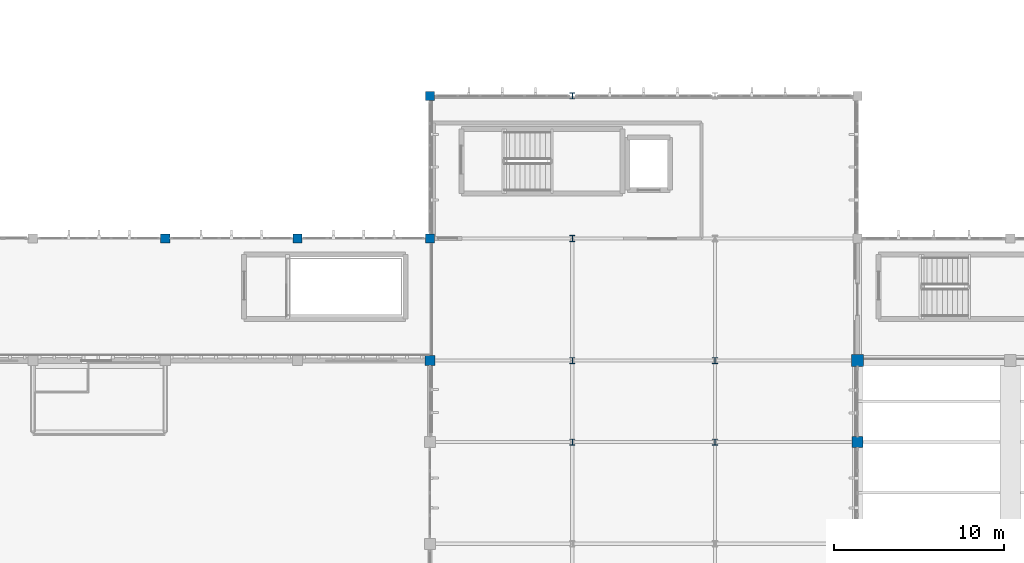
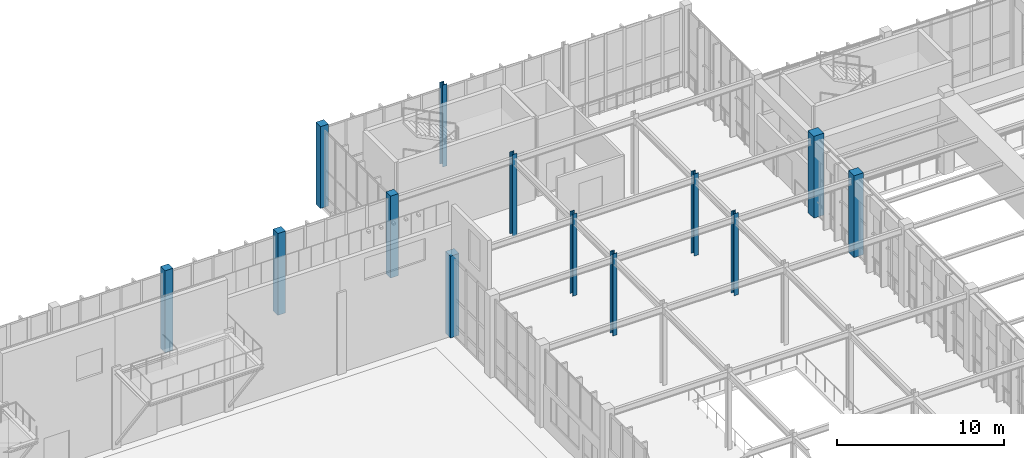
# One storey, part 6 of 105: 13 columns.
"""IFC4 building model written with IfcOpenShell, lengths in metres."""

import ifcopenshell
import ifcopenshell.guid

model = None  # the IFC model being written
_history = None  # IfcOwnerHistory: only IFC2X3 demands one
_inside = {}  # id of a spatial element -> (the spatial element, [elements in it])
_under = {}  # id of a project, library or spatial element -> (it, [spatial elements below it])
_declared = {}  # id of a project -> (the project, [libraries it declares])
_typed = {}  # id of a type object -> (the type object, [elements of that type])
_made_of = {}  # id of a material, layer set ... -> (it, [elements and type objects made of it])


def new_model(schema):
    """Start an empty IFC model of exactly this schema.

    Asked for "IFC4X3", IfcOpenShell would pick the latest addendum, in which some entities
    have other attributes; the version numbers below select the first issue.
    IFC2X3 requires an IfcOwnerHistory on every rooted entity: one is made here for all.
    """
    global model, _history
    if schema == "IFC4X3":
        model = ifcopenshell.file(schema_version=(4, 3, 0, 0))
    else:
        model = ifcopenshell.file(schema=schema)
    _inside.clear()
    _under.clear()
    _declared.clear()
    _typed.clear()
    _made_of.clear()
    _history = None
    if model.schema == "IFC2X3":
        org = make("IfcOrganization", Name="unknown")
        user = make(
            "IfcPersonAndOrganization",
            ThePerson=make("IfcPerson", FamilyName="unknown"),
            TheOrganization=org,
        )
        app = make(
            "IfcApplication",
            ApplicationDeveloper=org,
            Version="unknown",
            ApplicationFullName="unknown",
            ApplicationIdentifier="unknown",
        )
        _history = make(
            "IfcOwnerHistory",
            OwningUser=user,
            OwningApplication=app,
            ChangeAction="ADDED",
            CreationDate=0,
        )
    return model


def make(cls, **values):
    """One entity of the class cls with the attributes given. An attribute that is None is left unset."""
    return model.create_entity(
        cls, **{name: value for name, value in values.items() if value is not None}
    )


def rooted(cls, **values):
    """An entity with a GlobalId (a new one), such as an element, a storey or a relation."""
    return make(cls, GlobalId=ifcopenshell.guid.new(), OwnerHistory=_history, **values)


def si_unit(unit_type, name, prefix=None):
    """IfcSIUnit, for example si_unit("LENGTHUNIT", "METRE", prefix="MILLI")."""
    return make("IfcSIUnit", UnitType=unit_type, Prefix=prefix, Name=name)


def assignment(units):
    """IfcUnitAssignment: the units of a project."""
    return None if units is None else make("IfcUnitAssignment", Units=units)


def point(xyz):
    """IfcCartesianPoint."""
    return None if xyz is None else make("IfcCartesianPoint", Coordinates=xyz)


def direction(xyz):
    """IfcDirection."""
    return None if xyz is None else make("IfcDirection", DirectionRatios=xyz)


def frame(location, z_axis=None, x_axis=None):
    """IfcAxis2Placement3D, a coordinate frame: its origin and axes. An axis left out is left unset."""
    return make(
        "IfcAxis2Placement3D",
        Location=point(location),
        Axis=direction(z_axis),
        RefDirection=direction(x_axis),
    )


def frame_2d(location, x_axis=None):
    """IfcAxis2Placement2D, a coordinate frame in the plane: its origin and x axis."""
    return make(
        "IfcAxis2Placement2D", Location=point(location), RefDirection=direction(x_axis)
    )


def origin():
    """The frame at (0, 0, 0) with its axes left unset."""
    return frame((0.0, 0.0, 0.0))


def origin_2d():
    """The frame at (0, 0) in the plane with its x axis left unset."""
    return frame_2d((0.0, 0.0))


def place(relative_to, where):
    """IfcLocalPlacement: puts the frame where relative to a parent placement (None: the world)."""
    return make(
        "IfcLocalPlacement", PlacementRelTo=relative_to, RelativePlacement=where
    )


def context(
    kind, dimensions, precision=None, world=None, true_north=None, identifier=None
):
    """IfcGeometricRepresentationContext, for example the 3D "Model" context."""
    return make(
        "IfcGeometricRepresentationContext",
        ContextIdentifier=identifier,
        ContextType=kind,
        CoordinateSpaceDimension=dimensions,
        Precision=precision,
        WorldCoordinateSystem=world,
        TrueNorth=true_north,
    )


def subcontext(parent, identifier, kind, view, scale=None):
    """IfcGeometricRepresentationSubContext, for example "Body" below "Model"."""
    return make(
        "IfcGeometricRepresentationSubContext",
        ContextIdentifier=identifier,
        ContextType=kind,
        ParentContext=parent,
        TargetScale=scale,
        TargetView=view,
    )


def project(units=None, contexts=None):
    """IfcProject with its units and contexts."""
    return rooted(
        "IfcProject",
        Name="project",
        RepresentationContexts=contexts,
        UnitsInContext=assignment(units),
    )


def spatial(cls, under=None, at=None, **own):
    """A site, building, storey or space (cls), placed at a placement, below another one or the project."""
    s = rooted(cls, ObjectPlacement=at, **own)
    if under is not None:
        _under.setdefault(under.id(), (under, []))[1].append(s)
    return s


def profile(cls, at=None, kind="AREA", **sizes):
    """A parametric profile (cls). Its sizes go by their IFC names, for example OverallWidth=200.0."""
    return make(cls, ProfileType=kind, Position=at, **sizes)


def rectangle(**sizes):
    """IfcRectangleProfileDef."""
    return profile("IfcRectangleProfileDef", **sizes)


def i_section(**sizes):
    """IfcIShapeProfileDef."""
    return profile("IfcIShapeProfileDef", **sizes)


def extrude(swept, where, along, depth):
    """IfcExtrudedAreaSolid: the profile swept, set in the frame where, extruded along a direction by depth."""
    return make(
        "IfcExtrudedAreaSolid",
        SweptArea=swept,
        Position=where,
        ExtrudedDirection=direction(along),
        Depth=depth,
    )


def shape(context_of_items, identifier, shape_type, items):
    """IfcShapeRepresentation: the items that make up one representation, for example the "Body"."""
    return make(
        "IfcShapeRepresentation",
        ContextOfItems=context_of_items,
        RepresentationIdentifier=identifier,
        RepresentationType=shape_type,
        Items=items,
    )


def material(Name=None, Category=None):
    """IfcMaterial."""
    return make("IfcMaterial", Name=Name, Category=Category)


def material_profile(
    of_material, cross_section, Name=None, Category=None, Priority=None
):
    """IfcMaterialProfile: a cross section and its material."""
    return make(
        "IfcMaterialProfile",
        Name=Name,
        Material=of_material,
        Profile=cross_section,
        Priority=Priority,
        Category=Category,
    )


def profile_set(profiles, Name=None, composite=None):
    """IfcMaterialProfileSet."""
    return make(
        "IfcMaterialProfileSet",
        Name=Name,
        MaterialProfiles=profiles,
        CompositeProfile=composite,
    )


def made_of(thing, what):
    """Note that an element or type object is made of a material, layer set ...; save() writes the relation."""
    if what is not None:
        _made_of.setdefault(what.id(), (what, []))[1].append(thing)
    return thing


def type_object(cls, material=None, **own):
    """A type object (cls), such as IfcWallType, which elements share."""
    return made_of(rooted(cls, **own), material)


def element(
    cls,
    number,
    at=None,
    inside=None,
    cuts=None,
    type_object=None,
    material=None,
    context=None,
    identifier="Body",
    shape_type=None,
    held_by="IfcProductDefinitionShape",
    body=None,
    shapes=None,
    **own,
):
    """One element of the class cls, such as IfcWall. Its Tag is "e" and its number.

    at: its placement. inside: the storey or other place that contains it. cuts: it is an
    opening in that element (IfcRelVoidsElement). A single representation is given by context,
    identifier, shape_type and body (its items); several are given by shapes. held_by: the class
    of the entity that holds the representations. save() writes the other relations.
    """
    e = rooted(cls, Tag="e%d" % number, ObjectPlacement=at, **own)
    if body is not None:
        shapes = [shape(context, identifier, shape_type, body)]
    if shapes is not None:
        e.Representation = make(held_by, Representations=shapes)
    if inside is not None:
        _inside.setdefault(inside.id(), (inside, []))[1].append(e)
    if cuts is not None:
        rooted(
            "IfcRelVoidsElement", RelatingBuildingElement=cuts, RelatedOpeningElement=e
        )
    if type_object is not None:
        _typed.setdefault(type_object.id(), (type_object, []))[1].append(e)
    return made_of(e, material)


def aggregate(whole, parts):
    """IfcRelAggregates: a whole, such as a stair, and the parts it consists of."""
    return rooted("IfcRelAggregates", RelatingObject=whole, RelatedObjects=parts)


def save(model, path):
    """Write the relations noted so far, then the file.

    IfcRelAggregates (storeys below a building ...), IfcRelContainedInSpatialStructure (elements
    in a storey), IfcRelDefinesByType, IfcRelAssociatesMaterial and IfcRelDeclares: one each for
    every whole, place, type object, material and project.
    """
    for whole, parts in _under.values():
        aggregate(whole, parts)
    for where, things in _inside.values():
        rooted(
            "IfcRelContainedInSpatialStructure",
            RelatedElements=things,
            RelatingStructure=where,
        )
    for kind, things in _typed.values():
        rooted("IfcRelDefinesByType", RelatedObjects=things, RelatingType=kind)
    for what, things in _made_of.values():
        rooted("IfcRelAssociatesMaterial", RelatedObjects=things, RelatingMaterial=what)
    for by, libraries in _declared.values():
        rooted("IfcRelDeclares", RelatingContext=by, RelatedDefinitions=libraries)
    model.write(path)


model = new_model("IFC4")

# Units and contexts
model_context = context("Model", 3, precision=1e-05, world=origin(), true_north=direction((0.0, 1.0)))
body_context = subcontext(model_context, "Body", "Model", "MODEL_VIEW")
ifc_project = project(units=[si_unit("LENGTHUNIT", "METRE"), si_unit("AREAUNIT", "SQUARE_METRE"), si_unit("VOLUMEUNIT", "CUBIC_METRE"), si_unit("PLANEANGLEUNIT", "RADIAN"), si_unit("MASSUNIT", "GRAM", prefix="KILO")], contexts=[model_context])

# Site, building, storey
site_placement = place(None, origin())
site = spatial("IfcSite", under=ifc_project, at=site_placement, CompositionType="ELEMENT")
building_placement = place(site_placement, origin())
building = spatial("IfcBuilding", under=site, at=building_placement, Name="Tizgana Railside Sports Hall", CompositionType="ELEMENT")
storey_placement = place(building_placement, frame((0.0, 0.0, 6.0)))
storey = spatial("IfcBuildingStorey", under=building, at=storey_placement, Name="L01", CompositionType="ELEMENT", Elevation=6.0)

# Columns
ifc_material_1 = material(Name="Concrete C40/50", Category="concrete")
ifc_material_profile_1 = material_profile(ifc_material_1, rectangle(XDim=0.550048828125, YDim=0.550048828125, at=origin_2d()), Name="RC 550x550")
ifc_profile_set_1 = profile_set([ifc_material_profile_1], Name="Concrete C40/50")
column_type_1 = type_object("IfcColumnType", Name="Concrete Column RC 550x550", PredefinedType="COLUMN", material=ifc_profile_set_1)
for number, where, z_axis, x_axis, name in (
    (1, (39.0, 80.39990234375, 0.0), (0.0, 0.0, 1.0), (1.0, 0.0, 0.0), "L01 COL-0123"),
    (2, (46.800048828125, 80.39990234375, 0.0), (0.0, 0.0, 1.0), (1.0, 0.0, 0.0), "L01 COL-0143"),
    (3, (54.60009765625, 80.39990234375, 0.0), (0.0, 0.0, 1.0), (1.0, 0.0, 0.0), "L01 COL-0174"),
    (4, (54.60009765625, 88.800048828125, 0.0), (0.0, 0.0, 1.0), (1.0, 0.0, 0.0), "L01 COL-0189"),
):
    element("IfcColumn", number, at=place(storey_placement, frame(where, z_axis=z_axis, x_axis=x_axis)), inside=storey, type_object=column_type_1, Name=name, PredefinedType="COLUMN", context=body_context, shape_type="SweptSolid", body=[
        extrude(rectangle(XDim=0.550048828125, YDim=0.550048828125, at=origin_2d()), origin(), (0.0, 0.0, 1.0), 6.0),
    ])
ifc_material_profile_2 = material_profile(ifc_material_1, rectangle(XDim=0.60009765625, YDim=0.60009765625, at=origin_2d()), Name="RC 600x600")
ifc_profile_set_2 = profile_set([ifc_material_profile_2], Name="Concrete C40/50")
column_type_2 = type_object("IfcColumnType", Name="Concrete Column RC 600x600", PredefinedType="COLUMN", material=ifc_profile_set_2)
column_1_placement = place(storey_placement, frame((54.60009765625, 73.199951171875, 0.0), z_axis=(0.0, 0.0, 1.0), x_axis=(1.0, 0.0, 0.0)))
element("IfcColumn", 5, at=column_1_placement, inside=storey, type_object=column_type_2, Name="L01 COL-0170", PredefinedType="COLUMN", context=body_context, shape_type="SweptSolid", body=[
    extrude(rectangle(XDim=0.60009765625, YDim=0.60009765625, at=origin_2d()), origin(), (0.0, 0.0, 1.0), 6.0),
])
ifc_material_profile_3 = material_profile(ifc_material_1, rectangle(XDim=0.64990234375, YDim=0.64990234375, at=origin_2d()), Name="RC 650x650")
ifc_profile_set_3 = profile_set([ifc_material_profile_3], Name="Concrete C40/50")
column_type_3 = type_object("IfcColumnType", Name="Concrete Column RC 650x650", PredefinedType="COLUMN", material=ifc_profile_set_3)
column_2_placement = place(storey_placement, frame((79.800048828125, 68.39990234375, 0.0), z_axis=(0.0, 0.0, 1.0), x_axis=(1.0, 0.0, 0.0)))
element("IfcColumn", 6, at=column_2_placement, inside=storey, type_object=column_type_3, Name="L01 COL-0267", PredefinedType="COLUMN", context=body_context, shape_type="SweptSolid", body=[
    extrude(rectangle(XDim=0.64990234375, YDim=0.64990234375, at=origin_2d()), origin(), (0.0, 0.0, 1.0), 6.0),
])
ifc_material_profile_4 = material_profile(ifc_material_1, rectangle(XDim=0.699951171875, YDim=0.699951171875, at=origin_2d()), Name="RC 700x700")
ifc_profile_set_4 = profile_set([ifc_material_profile_4], Name="Concrete C40/50")
column_type_4 = type_object("IfcColumnType", Name="Concrete Column RC 700x700", PredefinedType="COLUMN", material=ifc_profile_set_4)
column_3_placement = place(storey_placement, frame((79.800048828125, 73.199951171875, 0.0), z_axis=(0.0, 0.0, 1.0), x_axis=(1.0, 0.0, 0.0)))
element("IfcColumn", 7, at=column_3_placement, inside=storey, type_object=column_type_4, Name="L01 COL-0270", PredefinedType="COLUMN", context=body_context, shape_type="SweptSolid", body=[
    extrude(rectangle(XDim=0.699951171875, YDim=0.699951171875, at=origin_2d()), origin(), (0.0, 0.0, 1.0), 6.0),
])
ifc_material_2 = material(Name="Steel S355J2", Category="steel")
ifc_material_profile_5 = material_profile(ifc_material_2, i_section(OverallWidth=0.300048828125, OverallDepth=0.360107421875, WebThickness=0.012451171875, FlangeThickness=0.0224609375, FilletRadius=0.027099609375, at=origin_2d()), Name="HEB 360")
ifc_profile_set_5 = profile_set([ifc_material_profile_5], Name="Steel S355J2")
column_type_5 = type_object("IfcColumnType", Name="Steel Column HEB 360", PredefinedType="COLUMN", material=ifc_profile_set_5)
for number, where, z_axis, x_axis, name in (
    (8, (63.0, 68.39990234375, 0.0), (0.0, 0.0, 1.0), (1.0, 0.0, 0.0), "L01 COL-0207"),
    (9, (63.0, 73.199951171875, 0.0), (0.0, 0.0, 1.0), (1.0, 0.0, 0.0), "L01 COL-0210"),
    (10, (63.0, 80.39990234375, 0.0), (0.0, 0.0, 1.0), (1.0, 0.0, 0.0), "L01 COL-0213"),
    (11, (63.0, 88.800048828125, 0.0), (0.0, 0.0, 1.0), (1.0, 0.0, 0.0), "L01 COL-0216"),
    (12, (71.39990234375, 68.39990234375, 0.0), (0.0, 0.0, 1.0), (1.0, 0.0, 0.0), "L01 COL-0234"),
    (13, (71.39990234375, 73.199951171875, 0.0), (0.0, 0.0, 1.0), (1.0, 0.0, 0.0), "L01 COL-0237"),
):
    element("IfcColumn", number, at=place(storey_placement, frame(where, z_axis=z_axis, x_axis=x_axis)), inside=storey, type_object=column_type_5, Name=name, PredefinedType="COLUMN", context=body_context, shape_type="SweptSolid", body=[
        extrude(i_section(OverallWidth=0.300048828125, OverallDepth=0.360107421875, WebThickness=0.012451171875, FlangeThickness=0.0224609375, FilletRadius=0.027099609375, at=origin_2d()), origin(), (0.0, 0.0, 1.0), 6.0),
    ])

save(model, "model.ifc")
